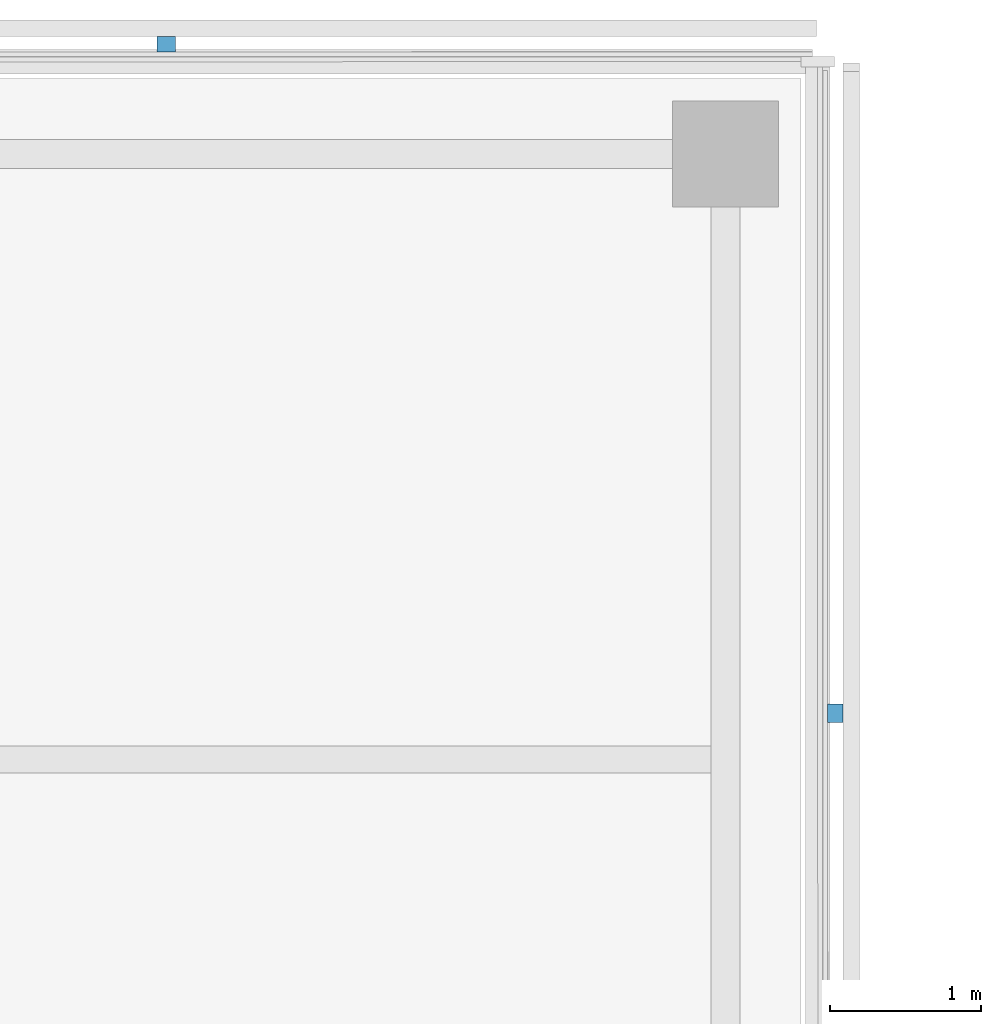
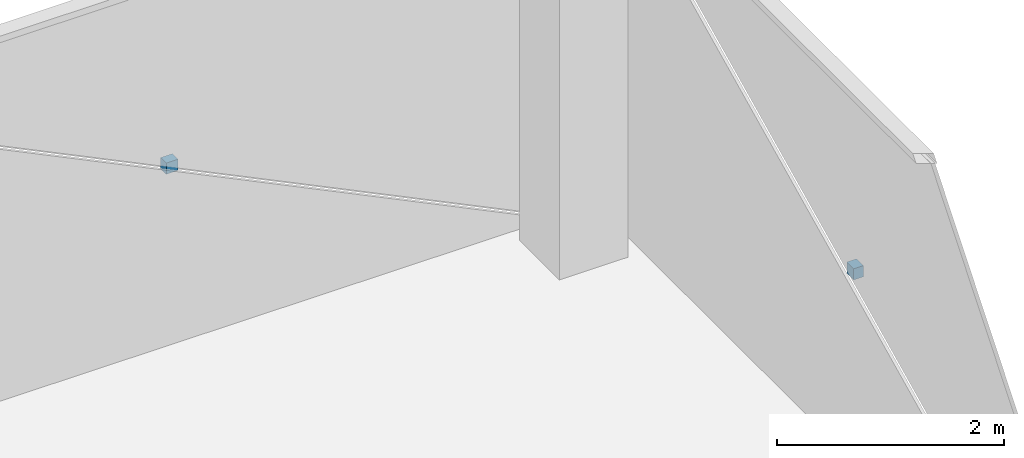
# One storey, part 20 of 22: 2 discrete accessories.
"""IFC4 building model written with IfcOpenShell, lengths in metres."""

from ifc_helpers import new_model, si_unit, direction, frame, origin, origin_2d, place, context, subcontext, project, spatial, rectangle, extrude, material, type_object, element, save


model = new_model("IFC4")

# Units and contexts
model_context = context("Model", 3, precision=1e-05, world=origin(), true_north=direction((0.0, 1.0)))
body_context = subcontext(model_context, "Body", "Model", "MODEL_VIEW")
ifc_project = project(units=[si_unit("LENGTHUNIT", "METRE"), si_unit("AREAUNIT", "SQUARE_METRE"), si_unit("VOLUMEUNIT", "CUBIC_METRE"), si_unit("PLANEANGLEUNIT", "RADIAN"), si_unit("MASSUNIT", "GRAM", prefix="KILO")], contexts=[model_context])

# Site, building, storey
site_placement = place(None, origin())
site = spatial("IfcSite", under=ifc_project, at=site_placement, CompositionType="ELEMENT")
building_placement = place(site_placement, origin())
building = spatial("IfcBuilding", under=site, at=building_placement, Name="Crosswind Convention Tower", CompositionType="ELEMENT")
storey_placement = place(building_placement, frame((0.0, 0.0, 129.5)))
storey = spatial("IfcBuildingStorey", under=building, at=storey_placement, Name="L26", CompositionType="ELEMENT", Elevation=129.5)

# Discrete accessories
ifc_material = material(Name="Stainless steel", Category="steel")
discrete_accessory_type = type_object("IfcDiscreteAccessoryType", Name="BAGUETTE BRACKET BK3", PredefinedType="BRACKET", material=ifc_material)
for number, where, z_axis, x_axis, name in (
    (1, (137.72607421875, 124.304931640625, 1.704833984375), (0.0, 0.0, 1.0), (0.0, 1.0, 0.0), "BK3 baguette bracket"),
    (2, (133.304931640625, 128.72607421875, 1.704833984375), (0.0, 0.0, 1.0), (-1.0, 0.0, 0.0), "BK3 baguette bracket"),
):
    element("IfcDiscreteAccessory", number, at=place(storey_placement, frame(where, z_axis=z_axis, x_axis=x_axis)), inside=storey, type_object=discrete_accessory_type, Name=name, PredefinedType="BRACKET", context=body_context, shape_type="SweptSolid", body=[
        extrude(rectangle(XDim=0.1201171875, YDim=0.10009765625, at=origin_2d()), origin(), (0.0, 0.0, 1.0), 0.1201171875),
    ])

save(model, "model.ifc")
